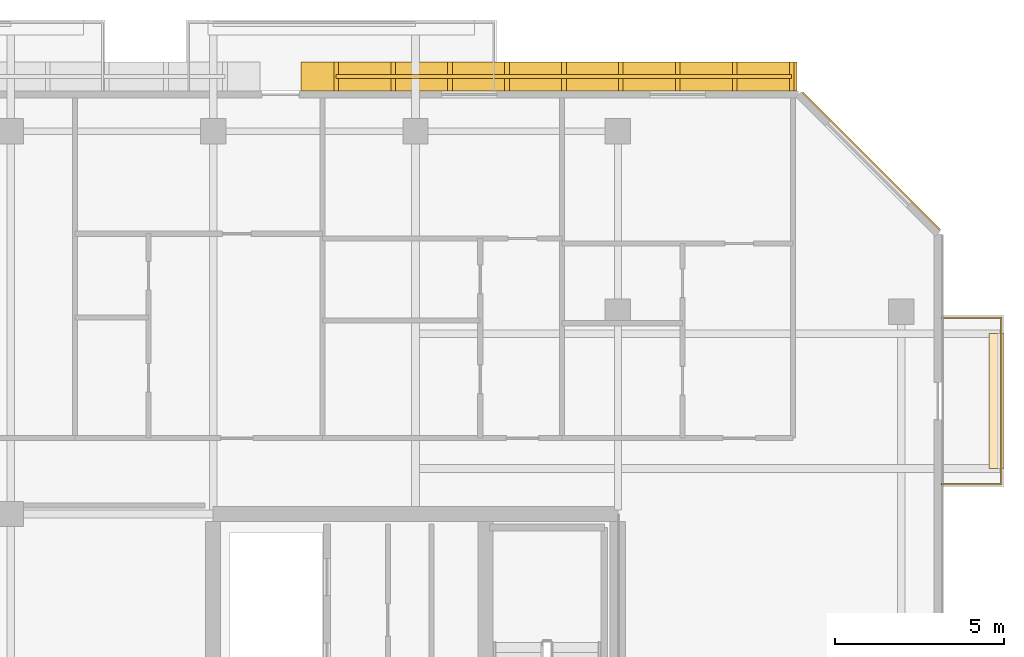
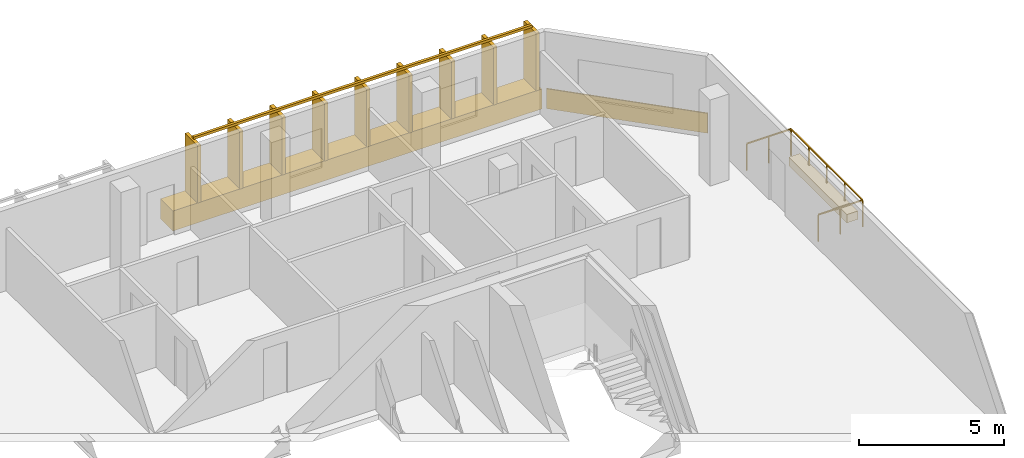
# One storey, part 23 of 23: 3 coverings, 2 railings.
"""IFC4 building model written with IfcOpenShell, lengths in metres."""

from ifc_helpers import new_model, si_unit, direction, frame, origin, origin_2d, place, context, subcontext, project, spatial, polyline, rectangle, outline, extrude, material, layer, layer_set, type_object, element, save


model = new_model("IFC4")

# Units and contexts
model_context = context("Model", 3, precision=1e-05, world=origin(), true_north=direction((0.0, 1.0)))
body_context = subcontext(model_context, "Body", "Model", "MODEL_VIEW")
ifc_project = project(units=[si_unit("LENGTHUNIT", "METRE"), si_unit("AREAUNIT", "SQUARE_METRE"), si_unit("VOLUMEUNIT", "CUBIC_METRE"), si_unit("PLANEANGLEUNIT", "RADIAN"), si_unit("MASSUNIT", "GRAM", prefix="KILO")], contexts=[model_context])

# Site, building, storey
site_placement = place(None, origin())
site = spatial("IfcSite", under=ifc_project, at=site_placement, CompositionType="ELEMENT")
building_placement = place(site_placement, origin())
building = spatial("IfcBuilding", under=site, at=building_placement, Name="Tanjung Sevakor Pilgrim Tower", CompositionType="ELEMENT")
storey_placement = place(building_placement, frame((0.0, 0.0, 215.489990234375)))
storey = spatial("IfcBuildingStorey", under=building, at=storey_placement, Name="L60", CompositionType="ELEMENT", Elevation=215.489990234375)

# Coverings
ifc_material_1 = material(Name="Reconstructed Limestone Cladding", Category="masonry")
ifc_layer_1 = layer(ifc_material_1, 0.044921875)
ifc_layer_set_1 = layer_set([ifc_layer_1], Name="COV-CLAD-LIMESTONE")
covering_type_1 = type_object("IfcCoveringType", Name="COV-CLAD-LIMESTONE", PredefinedType="CLADDING", material=ifc_layer_set_1)
covering_1_placement = place(storey_placement, frame((97.515869140625, 53.06591796875, 0.009765625), z_axis=(0.0, 0.0, 1.0), x_axis=(-0.707106781187, 0.707106781187, 0.0)))
element("IfcCovering", 1, at=covering_1_placement, inside=storey, type_object=covering_type_1, Name="L60 Warm Limestone Sill Spandrel EW-CHM-L60-MAIN-7-1", PredefinedType="CLADDING", context=body_context, shape_type="SweptSolid", body=[
    extrude(rectangle(XDim=5.7685546875, YDim=0.044921875, at=origin_2d()), origin(), (0.0, 0.0, 1.0), 0.840087890625),
])
covering_2_placement = place(storey_placement, frame((87.962158203125, 55.580078125, 0.009765625), z_axis=(0.0, 0.0, 1.0), x_axis=(-1.0, 0.0, 0.0)))
element("IfcCovering", 2, at=covering_2_placement, inside=storey, type_object=covering_type_1, Name="L60 Warm Limestone Sill Spandrel EW-L60-MAIN-9-1", PredefinedType="CLADDING", context=body_context, shape_type="SweptSolid", body=[
    extrude(rectangle(XDim=14.704345703125, YDim=0.860107421875, at=origin_2d()), origin(), (0.0, 0.0, 1.0), 0.840087890625),
])
ifc_material_2 = material(Name="Vegetated Modular Planter Assembly", Category="organic")
ifc_layer_2 = layer(ifc_material_2, 0.35009765625)
ifc_layer_set_2 = layer_set([ifc_layer_2], Name="COV-GRN-TROUGH")
covering_type_2 = type_object("IfcCoveringType", Name="COV-GRN-TROUGH", PredefinedType="CLADDING", material=ifc_layer_set_2)
covering_3_placement = place(storey_placement, origin())
element("IfcCovering", 3, at=covering_3_placement, inside=storey, type_object=covering_type_2, Name="L60 Planted Landscape Hedge Trough BGRN-L60-MAIN-E1", PredefinedType="CLADDING", context=body_context, shape_type="SweptSolid", body=[
    extrude(outline(polyline([(101.449951171875, 43.949951171875), (101.449951171875, 47.949951171875), (101.010009765625, 47.949951171875), (101.010009765625, 43.949951171875), (101.449951171875, 43.949951171875)])), origin(), (0.0, 0.0, 1.0), 0.35009765625),
])

# Railings
ifc_material_3 = material(Name="Laminated Glass and Aluminium", Category="aluminium")
railing_type_1 = type_object("IfcRailingType", Name="RL-BAL-BALUST", PredefinedType="BALUSTRADE", material=ifc_material_3)
railing_1_placement = place(storey_placement, frame((99.60009765625, 43.47998046875, 0.0)))
element("IfcRailing", 4, at=railing_1_placement, inside=storey, type_object=railing_type_1, Name="L60 Loggia Balustrade MAIN-E1", PredefinedType="BALUSTRADE", context=body_context, shape_type="SweptSolid", body=[
    extrude(rectangle(XDim=0.0479, YDim=0.0479), frame((0.0, 0.0, 1.1259765625), z_axis=(1.0, 0.0, 0.0), x_axis=(0.0, 1.0, 0.0)), (0.0, 0.0, 1.0), 1.77001953125),
    extrude(rectangle(XDim=0.0479, YDim=0.0479), frame((1.77001953125, 0.0, 1.1259765625), z_axis=(0.0, 1.0, 0.0), x_axis=(-1.0, 0.0, 0.0)), (0.0, 0.0, 1.0), 4.93994140625),
    extrude(rectangle(XDim=0.0479, YDim=0.0479), frame((1.77001953125, 4.93994140625, 1.1259765625), z_axis=(-1.0, 0.0, 0.0), x_axis=(0.0, -1.0, 0.0)), (0.0, 0.0, 1.0), 1.77001953125),
    extrude(rectangle(XDim=0.042, YDim=0.042), origin(), (0.0, 0.0, 1.0), 1.101806640625),
    extrude(rectangle(XDim=0.042, YDim=0.042), frame((0.885009765625, 0.0, 0.0)), (0.0, 0.0, 1.0), 1.101806640625),
    extrude(rectangle(XDim=0.042, YDim=0.042), frame((1.77001953125, 0.0, 0.0)), (0.0, 0.0, 1.0), 1.101806640625),
    extrude(rectangle(XDim=0.042, YDim=0.042), frame((1.77001953125, 1.23486328125, 0.0)), (0.0, 0.0, 1.0), 1.101806640625),
    extrude(rectangle(XDim=0.042, YDim=0.042), frame((1.77001953125, 2.469970703125, 0.0)), (0.0, 0.0, 1.0), 1.101806640625),
    extrude(rectangle(XDim=0.042, YDim=0.042), frame((1.77001953125, 3.705078125, 0.0)), (0.0, 0.0, 1.0), 1.101806640625),
    extrude(rectangle(XDim=0.042, YDim=0.042), frame((1.77001953125, 4.93994140625, 0.0)), (0.0, 0.0, 1.0), 1.101806640625),
    extrude(rectangle(XDim=0.042, YDim=0.042), frame((0.885009765625, 4.93994140625, 0.0)), (0.0, 0.0, 1.0), 1.101806640625),
    extrude(rectangle(XDim=0.042, YDim=0.042), frame((0.0, 4.93994140625, 0.0)), (0.0, 0.0, 1.0), 1.101806640625),
])
ifc_material_4 = material(Name="Anodised Bronze Aluminium 6063-T6", Category="aluminium")
railing_type_2 = type_object("IfcRailingType", Name="RL-FIN-SCREEN", PredefinedType="BALUSTRADE", material=ifc_material_4)
railing_2_placement = place(storey_placement, frame((95.154296875, 55.574951171875, 0.840087890625)))
element("IfcRailing", 5, at=railing_2_placement, inside=storey, type_object=railing_type_2, Name="L60 Vertical Bronze-Gold Solar Fin Screen FNSCR-EW-L60-MAIN-9-1", PredefinedType="BALUSTRADE", context=body_context, shape_type="SweptSolid", body=[
    extrude(rectangle(XDim=0.105, YDim=0.105), frame((0.0, 0.0, 2.487548828125), z_axis=(-1.0, 0.0, 0.0), x_axis=(0.0, -1.0, 0.0)), (0.0, 0.0, 1.0), 13.50439453125),
    extrude(rectangle(XDim=0.14, YDim=0.85), origin(), (0.0, 0.0, 1.0), 2.43505859375),
    extrude(rectangle(XDim=0.14, YDim=0.85), frame((-1.68798828125, 0.0, 0.0)), (0.0, 0.0, 1.0), 2.43505859375),
    extrude(rectangle(XDim=0.14, YDim=0.85), frame((-3.3759765625, 0.0, 0.0)), (0.0, 0.0, 1.0), 2.43505859375),
    extrude(rectangle(XDim=0.14, YDim=0.85), frame((-5.064208984375, 0.0, 0.0)), (0.0, 0.0, 1.0), 2.43505859375),
    extrude(rectangle(XDim=0.14, YDim=0.85), frame((-6.752197265625, 0.0, 0.0)), (0.0, 0.0, 1.0), 2.43505859375),
    extrude(rectangle(XDim=0.14, YDim=0.85), frame((-8.440185546875, 0.0, 0.0)), (0.0, 0.0, 1.0), 2.43505859375),
    extrude(rectangle(XDim=0.14, YDim=0.85), frame((-10.12841796875, 0.0, 0.0)), (0.0, 0.0, 1.0), 2.43505859375),
    extrude(rectangle(XDim=0.14, YDim=0.85), frame((-11.81640625, 0.0, 0.0)), (0.0, 0.0, 1.0), 2.43505859375),
    extrude(rectangle(XDim=0.14, YDim=0.85), frame((-13.50439453125, 0.0, 0.0)), (0.0, 0.0, 1.0), 2.43505859375),
])

save(model, "model.ifc")
